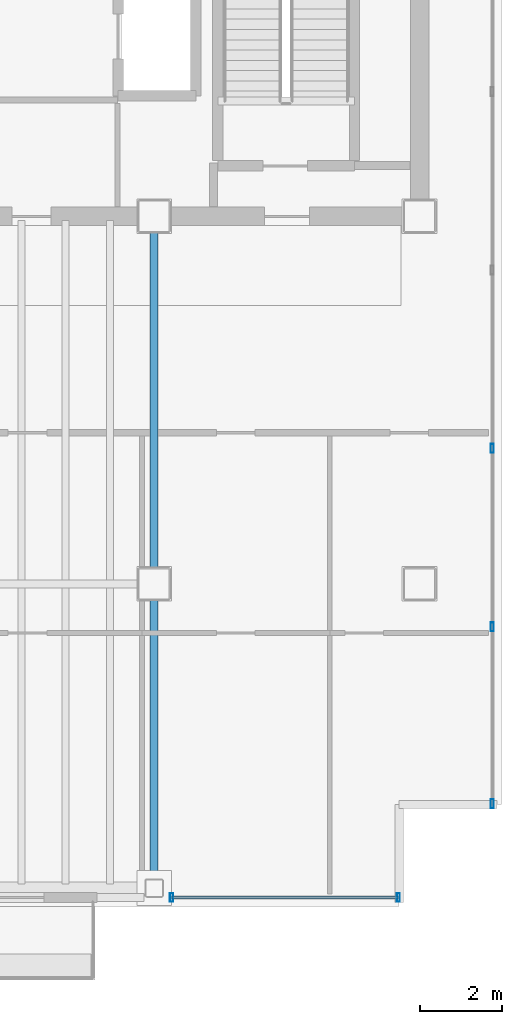
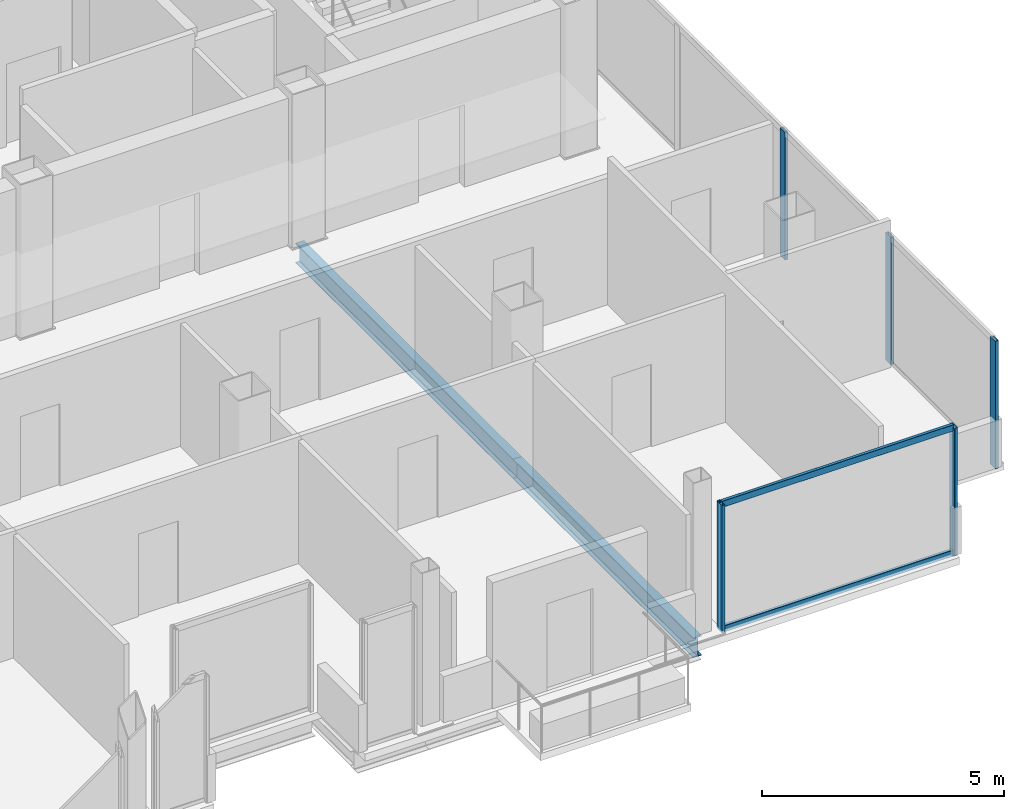
# One storey, part 10 of 17: 7 members, 2 beams, 2 elements without a shape of their own.
"""IFC4 building model written with IfcOpenShell, lengths in metres."""

from ifc_helpers import new_model, si_unit, direction, frame, origin, origin_2d, place, context, subcontext, project, spatial, hollow_rectangle, i_section, extrude, material, material_profile, profile_set, type_object, element, aggregate, save


model = new_model("IFC4")

# Units and contexts
model_context = context("Model", 3, precision=1e-05, world=origin(), true_north=direction((0.0, 1.0)))
body_context = subcontext(model_context, "Body", "Model", "MODEL_VIEW")
ifc_project = project(units=[si_unit("LENGTHUNIT", "METRE"), si_unit("AREAUNIT", "SQUARE_METRE"), si_unit("VOLUMEUNIT", "CUBIC_METRE"), si_unit("PLANEANGLEUNIT", "RADIAN"), si_unit("MASSUNIT", "GRAM", prefix="KILO")], contexts=[model_context])

# Site, building, storey
site_placement = place(None, origin())
site = spatial("IfcSite", under=ifc_project, at=site_placement, CompositionType="ELEMENT")
building_placement = place(site_placement, origin())
building = spatial("IfcBuilding", under=site, at=building_placement, Name="Noeulbin Bourse Tower", CompositionType="ELEMENT")
storey_placement = place(building_placement, frame((0.0, 0.0, 250.10009765625)))
storey = spatial("IfcBuildingStorey", under=building, at=storey_placement, Name="L62", CompositionType="ELEMENT", Elevation=250.10009765625)

# Beams
ifc_material_1 = material(Name="Steel S355", Category="steel")
ifc_material_profile_1 = material_profile(ifc_material_1, i_section(OverallWidth=0.199951171875, OverallDepth=0.5, WebThickness=0.010009765625, FlangeThickness=0.01611328125, FilletRadius=0.02001953125, at=origin_2d()), Name="H-500x200x10x16", Category="LoadBearing")
ifc_profile_set_1 = profile_set([ifc_material_profile_1], Name="Steel S355")
beam_type = type_object("IfcBeamType", Name="BM-GRD-500", PredefinedType="USERDEFINED", material=ifc_profile_set_1)
beam_1_placement = place(storey_placement, frame((37.5, 12.550048828125, -0.43017578125), z_axis=(0.0, 1.0, 0.0), x_axis=(-1.0, 0.0, 0.0)))
element("IfcBeam", 1, at=beam_1_placement, inside=storey, type_object=beam_type, Name="Tower Primary Girder NS L62-4.1", ObjectType="GIRDER", PredefinedType="USERDEFINED", context=body_context, shape_type="SweptSolid", body=[
    extrude(i_section(OverallWidth=0.199951171875, OverallDepth=0.5, WebThickness=0.010009765625, FlangeThickness=0.01611328125, FilletRadius=0.02001953125, at=origin_2d()), origin(), (0.0, 0.0, 1.0), 7.449951171875),
])
beam_2_placement = place(storey_placement, frame((37.5, 20.0, -0.43017578125), z_axis=(0.0, 1.0, 0.0), x_axis=(-1.0, 0.0, 0.0)))
element("IfcBeam", 2, at=beam_2_placement, inside=storey, type_object=beam_type, Name="Tower Primary Girder NS L62-4.2", ObjectType="GIRDER", PredefinedType="USERDEFINED", context=body_context, shape_type="SweptSolid", body=[
    extrude(i_section(OverallWidth=0.199951171875, OverallDepth=0.5, WebThickness=0.010009765625, FlangeThickness=0.01611328125, FilletRadius=0.02001953125, at=origin_2d()), origin(), (0.0, 0.0, 1.0), 9.0),
])

# Curtain wall, members
ifc_material_2 = material(Name="High-Selectivity Low-Iron Glazing", Category="glass")
curtain_wall_type = type_object("IfcCurtainWallType", Name="CW-SYS-4", PredefinedType="NOTDEFINED", material=ifc_material_2)
curtain_wall_1_placement = place(storey_placement, origin())
curtain_wall_1 = element("IfcCurtainWall", 3, at=curtain_wall_1_placement, inside=storey, type_object=curtain_wall_type, Name="Unitised Curtain Wall CW-L62-S3", PredefinedType="NOTDEFINED")
ifc_material_3 = material(Name="Anodised Aluminium 6063-T6", Category="aluminium")
ifc_material_profile_2 = material_profile(ifc_material_3, hollow_rectangle(XDim=0.074951171875, YDim=0.219970703125, WallThickness=0.0048828125, InnerFilletRadius=0.00244140625, OuterFilletRadius=0.0048828125, at=origin_2d()), Name="ALU-MULL-75x220x5", Category="LoadBearing")
ifc_profile_set_2 = profile_set([ifc_material_profile_2], Name="Anodised Aluminium 6063-T6")
member_type_1 = type_object("IfcMemberType", Name="CW-SYS-4-MUL", PredefinedType="MULLION", material=ifc_profile_set_2)
member_1_placement = place(storey_placement, frame((37.925048828125, 12.320068359375, -0.02001953125), z_axis=(0.0, 0.0, 1.0), x_axis=(1.0, 0.0, 0.0)))
member_1 = element("IfcMember", 4, at=member_1_placement, type_object=member_type_1, Name="Curtain Wall Mullion CW-L62-S3-M00", PredefinedType="MULLION", context=body_context, shape_type="SweptSolid", body=[
    extrude(hollow_rectangle(XDim=0.074951171875, YDim=0.219970703125, WallThickness=0.0048828125, InnerFilletRadius=0.00244140625, OuterFilletRadius=0.0048828125, at=origin_2d()), origin(), (0.0, 0.0, 1.0), 3.219970703125),
])
member_2_placement = place(storey_placement, frame((43.47998046875, 12.320068359375, -0.02001953125), z_axis=(0.0, 0.0, 1.0), x_axis=(1.0, 0.0, 0.0)))
member_2 = element("IfcMember", 5, at=member_2_placement, type_object=member_type_1, Name="Curtain Wall Mullion CW-L62-S3-M01", PredefinedType="MULLION", context=body_context, shape_type="SweptSolid", body=[
    extrude(hollow_rectangle(XDim=0.074951171875, YDim=0.219970703125, WallThickness=0.0048828125, InnerFilletRadius=0.00244140625, OuterFilletRadius=0.0048828125, at=origin_2d()), origin(), (0.0, 0.0, 1.0), 3.219970703125),
])

curtain_wall_2_placement = place(storey_placement, origin())
curtain_wall_2 = element("IfcCurtainWall", 6, at=curtain_wall_2_placement, inside=storey, type_object=curtain_wall_type, Name="Unitised Curtain Wall CW-L62-E", PredefinedType="NOTDEFINED")
member_3_placement = place(storey_placement, frame((45.780029296875, 14.6201171875, -0.02001953125), z_axis=(0.0, 0.0, 1.0), x_axis=(1.0, 0.0, 0.0)))
member_3 = element("IfcMember", 7, at=member_3_placement, type_object=member_type_1, Name="Curtain Wall Mullion CW-L62-E-M00", PredefinedType="MULLION", context=body_context, shape_type="SweptSolid", body=[
    extrude(hollow_rectangle(XDim=0.074951171875, YDim=0.219970703125, WallThickness=0.0048828125, InnerFilletRadius=0.00244140625, OuterFilletRadius=0.0048828125, at=origin_2d()), origin(), (0.0, 0.0, 1.0), 3.219970703125),
])
member_4_placement = place(storey_placement, frame((45.780029296875, 18.947998046875, -0.02001953125), z_axis=(0.0, 0.0, 1.0), x_axis=(1.0, 0.0, 0.0)))
member_4 = element("IfcMember", 8, at=member_4_placement, type_object=member_type_1, Name="Curtain Wall Mullion CW-L62-E-M01", PredefinedType="MULLION", context=body_context, shape_type="SweptSolid", body=[
    extrude(hollow_rectangle(XDim=0.074951171875, YDim=0.219970703125, WallThickness=0.0048828125, InnerFilletRadius=0.00244140625, OuterFilletRadius=0.0048828125, at=origin_2d()), origin(), (0.0, 0.0, 1.0), 3.219970703125),
])
member_5_placement = place(storey_placement, frame((45.780029296875, 23.31591796875, -0.02001953125), z_axis=(0.0, 0.0, 1.0), x_axis=(1.0, 0.0, 0.0)))
member_5 = element("IfcMember", 9, at=member_5_placement, type_object=member_type_1, Name="Curtain Wall Mullion CW-L62-E-M02", PredefinedType="MULLION", context=body_context, shape_type="SweptSolid", body=[
    extrude(hollow_rectangle(XDim=0.074951171875, YDim=0.219970703125, WallThickness=0.0048828125, InnerFilletRadius=0.00244140625, OuterFilletRadius=0.0048828125, at=origin_2d()), origin(), (0.0, 0.0, 1.0), 3.219970703125),
])
aggregate(curtain_wall_2, [member_3, member_4, member_5])

# Member
ifc_material_profile_3 = material_profile(ifc_material_3, hollow_rectangle(XDim=0.074951171875, YDim=0.159912109375, WallThickness=0.0048828125, InnerFilletRadius=0.00244140625, OuterFilletRadius=0.0048828125, at=origin_2d()), Name="ALU-TRAN-75x160x5", Category="LoadBearing")
ifc_profile_set_3 = profile_set([ifc_material_profile_3], Name="Anodised Aluminium 6063-T6")
member_type_2 = type_object("IfcMemberType", Name="CW-SYS-4-TRN", PredefinedType="USERDEFINED", material=ifc_profile_set_3)
member_6_placement = place(storey_placement, frame((37.93505859375, 12.320068359375, 0.010009765625), z_axis=(1.0, 0.0, 0.0), x_axis=(0.0, 1.0, 0.0)))
member_6 = element("IfcMember", 10, at=member_6_placement, type_object=member_type_2, Name="Curtain Wall Transom CW-L62-S3-T00", ObjectType="TRANSOM", PredefinedType="USERDEFINED", context=body_context, shape_type="SweptSolid", body=[
    extrude(hollow_rectangle(XDim=0.074951171875, YDim=0.159912109375, WallThickness=0.0048828125, InnerFilletRadius=0.00244140625, OuterFilletRadius=0.0048828125, at=origin_2d()), origin(), (0.0, 0.0, 1.0), 5.534912109375),
])

member_7_placement = place(storey_placement, frame((37.93505859375, 12.320068359375, 3.169921875), z_axis=(1.0, 0.0, 0.0), x_axis=(0.0, 1.0, 0.0)))
member_7 = element("IfcMember", 11, at=member_7_placement, type_object=member_type_2, Name="Curtain Wall Transom CW-L62-S3-T01", ObjectType="TRANSOM", PredefinedType="USERDEFINED", context=body_context, shape_type="SweptSolid", body=[
    extrude(hollow_rectangle(XDim=0.074951171875, YDim=0.159912109375, WallThickness=0.0048828125, InnerFilletRadius=0.00244140625, OuterFilletRadius=0.0048828125, at=origin_2d()), origin(), (0.0, 0.0, 1.0), 5.534912109375),
])

aggregate(curtain_wall_1, [member_1, member_2, member_6, member_7])

save(model, "model.ifc")
